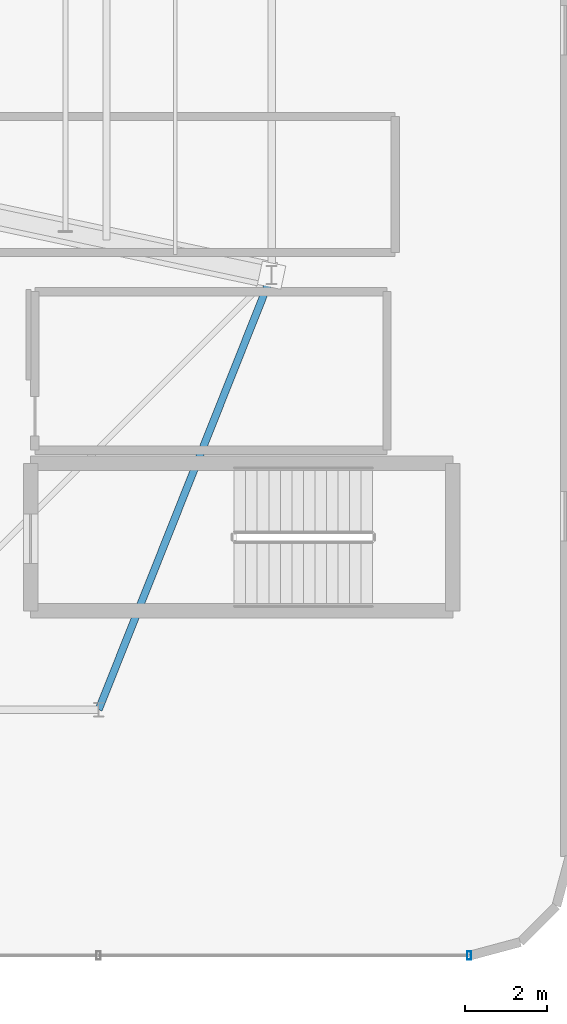
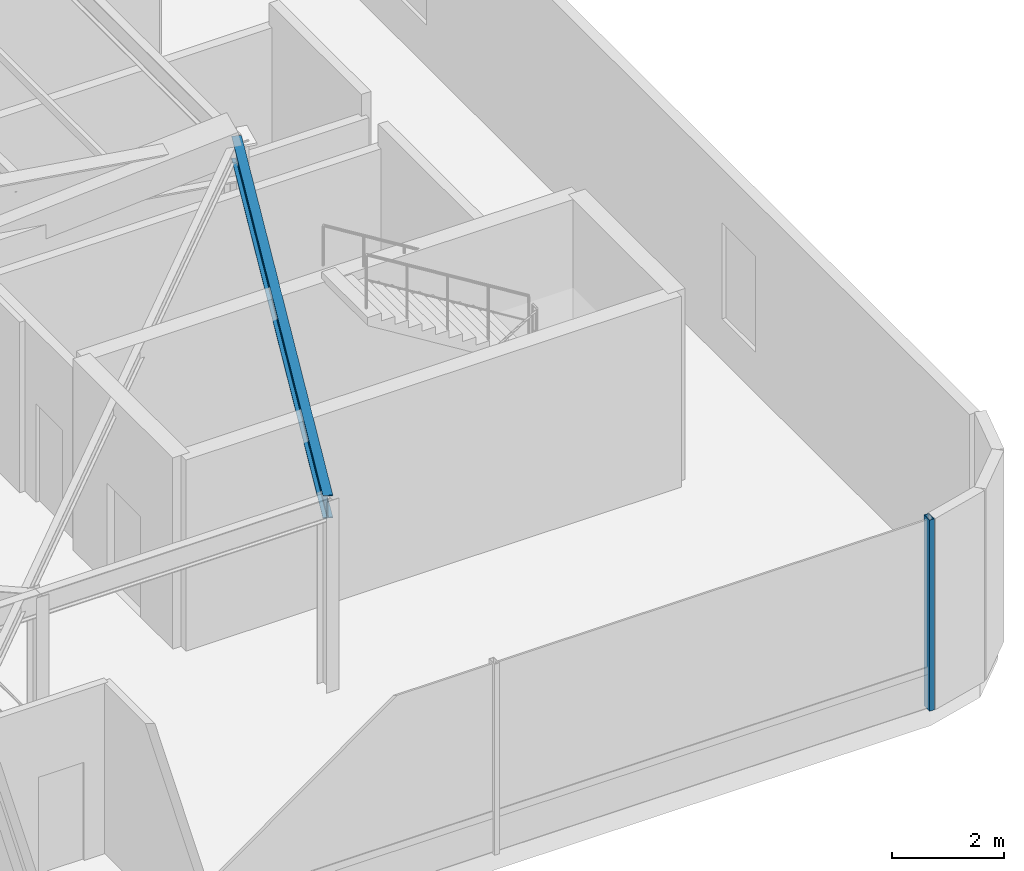
# One storey, part 11 of 32: 1 beam, 1 member, 1 element without a shape of its own.
"""IFC4 building model written with IfcOpenShell, lengths in metres."""

from ifc_helpers import new_model, si_unit, direction, frame, origin, origin_2d, place, context, subcontext, project, spatial, hollow_rectangle, i_section, extrude, source, transform, mapped, material, material_profile, profile_set, type_object, element, aggregate, save


model = new_model("IFC4")

# Units and contexts
model_context = context("Model", 3, precision=1e-05, world=origin(), true_north=direction((0.0, 1.0)))
body_context = subcontext(model_context, "Body", "Model", "MODEL_VIEW")
ifc_project = project(units=[si_unit("LENGTHUNIT", "METRE"), si_unit("AREAUNIT", "SQUARE_METRE"), si_unit("VOLUMEUNIT", "CUBIC_METRE"), si_unit("PLANEANGLEUNIT", "RADIAN"), si_unit("MASSUNIT", "GRAM", prefix="KILO")], contexts=[model_context])

# Site, building, storey
site_placement = place(None, origin())
site = spatial("IfcSite", under=ifc_project, at=site_placement, CompositionType="ELEMENT")
building_placement = place(site_placement, origin())
building = spatial("IfcBuilding", under=site, at=building_placement, Name="Sahyath Konkavel Grand Hotel", CompositionType="ELEMENT")
storey_placement = place(building_placement, frame((0.0, 0.0, 14.10009765625)))
storey = spatial("IfcBuildingStorey", under=building, at=storey_placement, Name="L03", CompositionType="ELEMENT", Elevation=14.10009765625)

# Beam
ifc_material_1 = material(Name="Steel E350", Category="steel")
ifc_material_profile_1 = material_profile(ifc_material_1, i_section(OverallWidth=0.179931640625, OverallDepth=0.5, WebThickness=0.01025390625, FlangeThickness=0.01708984375, FilletRadius=0.01708984375, at=origin_2d()), Name="ISMB 500")
ifc_profile_set_1 = profile_set([ifc_material_profile_1], Name="Steel E350")
beam_type = type_object("IfcBeamType", Name="BM-ISMB500", PredefinedType="BEAM", material=ifc_profile_set_1)
shared_shape_1 = source(origin(), body_context, "Body", "SweptSolid", [
    extrude(i_section(OverallWidth=0.179931640625, OverallDepth=0.5, WebThickness=0.01025390625, FlangeThickness=0.01708984375, FilletRadius=0.01708984375, at=origin_2d()), origin(), (0.0, 0.0, 1.0), 11.355224609375),
])
beam_placement = place(storey_placement, frame((18.0, -16.5, 3.929931640625), z_axis=(0.369866633086, 0.929084858196, 0.0), x_axis=(-0.929084858196, 0.369866633086, 0.0)))
element("IfcBeam", 1, at=beam_placement, inside=storey, type_object=beam_type, Name="str:bm:L03:POD34-16", PredefinedType="BEAM", context=body_context, shape_type="MappedRepresentation", body=[
    mapped(shared_shape_1, transform((0.0, 0.0, 0.0), scale=1.0)),
])

# Curtain wall, member
ifc_material_2 = material(Name="Anodised Bronze Aluminium & Low-E Glazing", Category="aluminium")
curtain_wall_type = type_object("IfcCurtainWallType", Name="CW-PODIUM", PredefinedType="NOTDEFINED", material=ifc_material_2)
curtain_wall_placement = place(storey_placement, origin())
curtain_wall = element("IfcCurtainWall", 2, at=curtain_wall_placement, inside=storey, type_object=curtain_wall_type, Name="L03 Unitised Curtain Wall S", PredefinedType="NOTDEFINED")
ifc_material_3 = material(Name="Anodised Bronze Aluminium", Category="aluminium")
ifc_material_profile_2 = material_profile(ifc_material_3, hollow_rectangle(XDim=0.10009765625, YDim=0.199951171875, WallThickness=0.008056640625, at=origin_2d()), Name="RHS 200x100x8")
ifc_profile_set_2 = profile_set([ifc_material_profile_2], Name="Anodised Bronze Aluminium")
member_type = type_object("IfcMemberType", Name="CW-MUL-200", PredefinedType="MULLION", material=ifc_profile_set_2)
shared_shape_2 = source(origin(), body_context, "Body", "SweptSolid", [
    extrude(hollow_rectangle(XDim=0.10009765625, YDim=0.199951171875, WallThickness=0.008056640625, at=origin_2d()), origin(), (0.0, 0.0, 1.0), 4.179931640625),
])
member_placement = place(storey_placement, frame((26.99609375, -22.465087890625, 0.0), z_axis=(0.0, 0.0, 1.0), x_axis=(1.0, 0.0, 0.0)))
member = element("IfcMember", 3, at=member_placement, type_object=member_type, Name="L03 Curtain Wall Mullion S-6", PredefinedType="MULLION", context=body_context, shape_type="MappedRepresentation", body=[
    mapped(shared_shape_2, transform((0.0, 0.0, 0.0), scale=1.0)),
])
aggregate(curtain_wall, [member])

save(model, "model.ifc")
